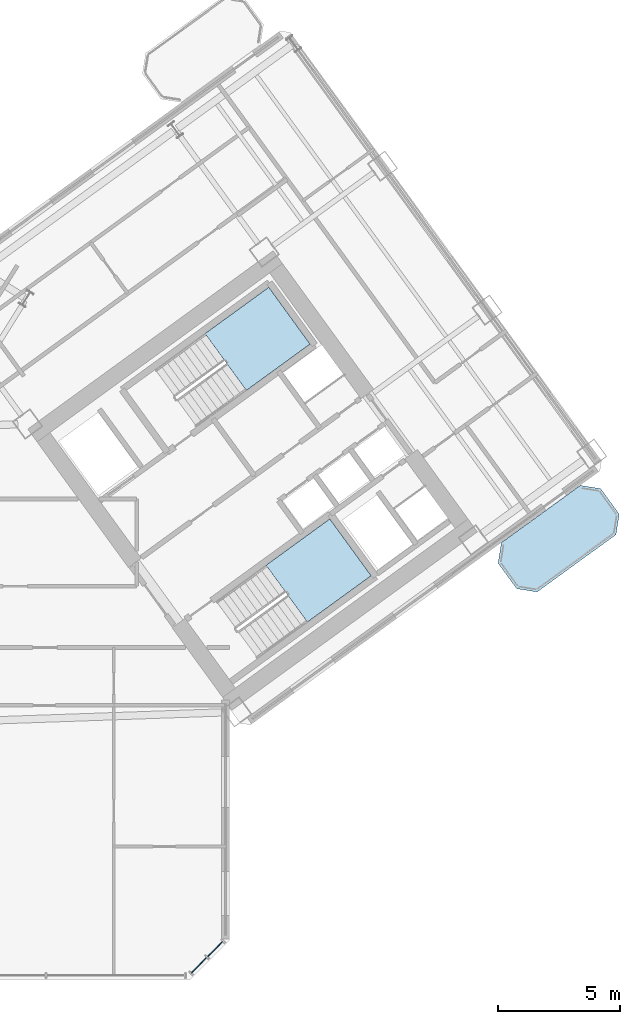
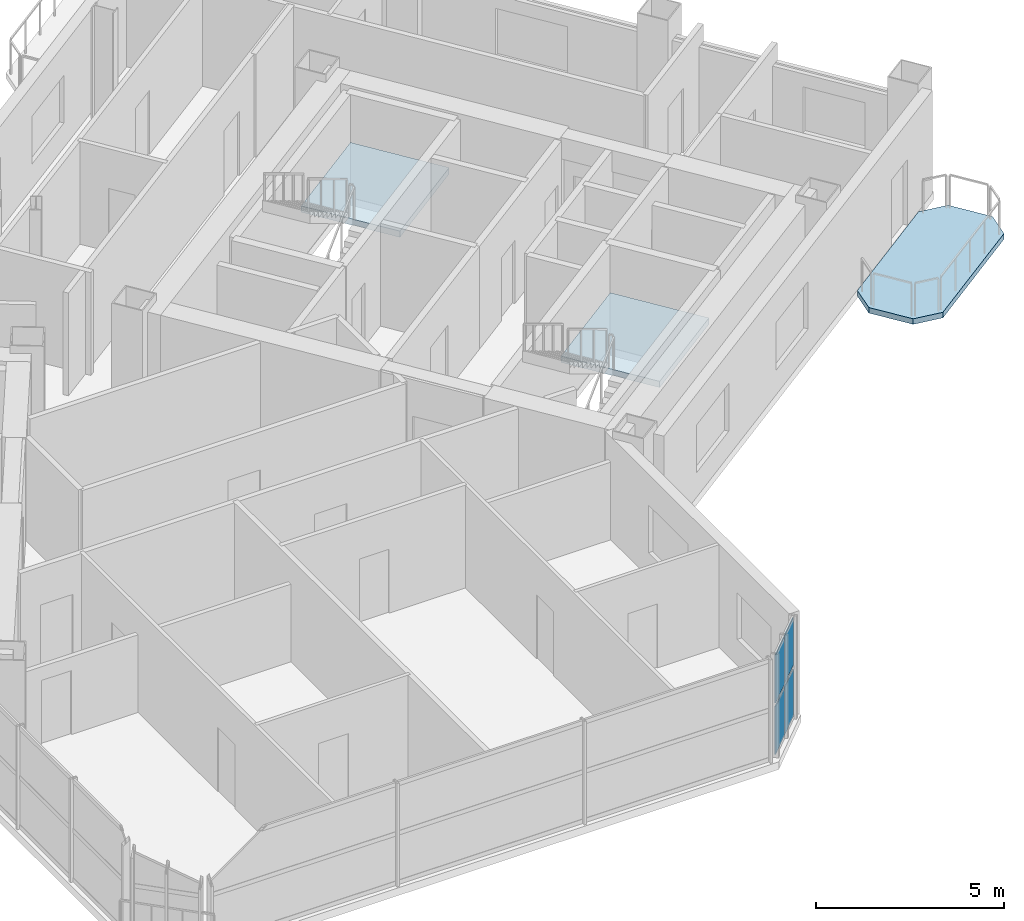
# One storey, part 10 of 21: 4 plates, 3 slabs, 3 elements without a shape of their own.
"""IFC4 building model written with IfcOpenShell, lengths in metres."""

from ifc_helpers import new_model, si_unit, direction, frame, origin, origin_2d, place, context, subcontext, project, spatial, polyline, rectangle, outline, extrude, source, transform, mapped, material, layer, layer_set, type_object, element, aggregate, save


model = new_model("IFC4")

# Units and contexts
model_context = context("Model", 3, precision=1e-05, world=origin(), true_north=direction((0.0, 1.0)))
body_context = subcontext(model_context, "Body", "Model", "MODEL_VIEW")
ifc_project = project(units=[si_unit("LENGTHUNIT", "METRE"), si_unit("AREAUNIT", "SQUARE_METRE"), si_unit("VOLUMEUNIT", "CUBIC_METRE"), si_unit("PLANEANGLEUNIT", "RADIAN"), si_unit("MASSUNIT", "GRAM", prefix="KILO")], contexts=[model_context])

# Site, building, storey
site_placement = place(None, origin())
site = spatial("IfcSite", under=ifc_project, at=site_placement, CompositionType="ELEMENT")
building_placement = place(site_placement, origin())
building = spatial("IfcBuilding", under=site, at=building_placement, Name="Tlacorven Tower", CompositionType="ELEMENT")
storey_placement = place(building_placement, frame((0.0, 0.0, 90.0)))
storey = spatial("IfcBuildingStorey", under=building, at=storey_placement, Name="L22", CompositionType="ELEMENT", Elevation=90.0)

# Slab
ifc_material_1 = material(Name="Precast concrete C45/55", Category="concrete")
ifc_layer_1 = layer(ifc_material_1, 0.179931640625)
ifc_layer_set_1 = layer_set([ifc_layer_1], Name="Precast concrete C45/55")
slab_type_1 = type_object("IfcSlabType", Name="SL-BAL-180", PredefinedType="USERDEFINED", material=ifc_layer_set_1)
slab_1_placement = place(storey_placement, frame((0.0, 0.0, -0.179931640625)))
element("IfcSlab", 1, at=slab_1_placement, inside=storey, type_object=slab_type_1, Name="L22 East Wing Balcony Ribbon OUT", ObjectType="BALCONY SLAB", PredefinedType="USERDEFINED", context=body_context, shape_type="SweptSolid", body=[
    extrude(outline(polyline([(65.025634765625, 17.69482421875), (68.26171875, 20.046142578125), (68.394287109375, 20.884033203125), (67.633056640625, 21.931884765625), (66.795166015625, 22.064453125), (63.55908203125, 19.71337890625), (63.42626953125, 18.875244140625), (64.1875, 17.82763671875), (65.025634765625, 17.69482421875)])), origin(), (0.0, 0.0, 1.0), 0.179931640625),
])

# Stair, slab
ifc_material_2 = material(Name="Concrete C40/50", Category="concrete")
stair_type = type_object("IfcStairType", Name="ST-CORE-DLG", PredefinedType="HALF_TURN_STAIR", material=ifc_material_2)
stair_1_placement = place(storey_placement, origin())
stair_1 = element("IfcStair", 2, at=stair_1_placement, inside=storey, type_object=stair_type, Name="L22 Protected Exit Stair East 1", PredefinedType="HALF_TURN_STAIR")
ifc_layer_2 = layer(ifc_material_2, 0.199951171875)
ifc_layer_set_2 = layer_set([ifc_layer_2], Name="Concrete C40/50")
slab_type_2 = type_object("IfcSlabType", Name="SL-LND-200", PredefinedType="LANDING", material=ifc_layer_set_2)
slab_2_placement = place(storey_placement, frame((0.0, 0.0, 1.60009765625)))
slab_2 = element("IfcSlab", 3, at=slab_2_placement, type_object=slab_type_2, Name="ST-E1 landing 1", PredefinedType="LANDING", context=body_context, shape_type="SweptSolid", body=[
    extrude(outline(polyline([(53.09765625, 25.962890625), (55.7109375, 27.861572265625), (54.01806640625, 30.19140625), (51.40478515625, 28.29296875), (53.09765625, 25.962890625)])), origin(), (0.0, 0.0, 1.0), 0.199951171875),
])
aggregate(stair_1, [slab_2])

stair_2_placement = place(storey_placement, origin())
stair_2 = element("IfcStair", 4, at=stair_2_placement, inside=storey, type_object=stair_type, Name="L22 Protected Exit Stair East 2", PredefinedType="HALF_TURN_STAIR")
slab_3_placement = place(storey_placement, frame((0.0, 0.0, 1.60009765625)))
slab_3 = element("IfcSlab", 5, at=slab_3_placement, type_object=slab_type_2, Name="ST-E2 landing 1", PredefinedType="LANDING", context=body_context, shape_type="SweptSolid", body=[
    extrude(outline(polyline([(55.601806640625, 16.4599609375), (58.21484375, 18.3583984375), (56.52197265625, 20.6884765625), (53.908935546875, 18.789794921875), (55.601806640625, 16.4599609375)])), origin(), (0.0, 0.0, 1.0), 0.199951171875),
])
aggregate(stair_2, [slab_3])

# Curtain wall, plates
ifc_material_3 = material(Name="Dark solar low-E double glazing in aluminium frame", Category="aluminium")
curtain_wall_type = type_object("IfcCurtainWallType", Name="CW-TWR-LOW", PredefinedType="USERDEFINED", material=ifc_material_3)
curtain_wall_placement = place(storey_placement, origin())
curtain_wall = element("IfcCurtainWall", 6, at=curtain_wall_placement, inside=storey, type_object=curtain_wall_type, Name="L22 CW-TWR-LOW Curtain Wall 115", ObjectType="UNITISED CURTAIN WALL", PredefinedType="USERDEFINED")
ifc_material_4 = material(Name="Dark solar double low-E glazing", Category="glass")
ifc_layer_3 = layer(ifc_material_4, 0.031982421875)
ifc_layer_set_3 = layer_set([ifc_layer_3], Name="Dark solar double low-E glazing")
plate_type = type_object("IfcPlateType", Name="CWP-02", PredefinedType="CURTAIN_PANEL", material=ifc_layer_set_3)
shared_shape = source(origin(), body_context, "Body", "SweptSolid", [
    extrude(rectangle(XDim=0.878173828125, YDim=0.031982421875, at=origin_2d()), origin(), (0.0, 0.0, 1.0), 1.552978515625),
])
plate_1_placement = place(storey_placement, frame((51.815673828125, 3.0419921875, 0.06103515625), z_axis=(0.0, 0.0, 1.0), x_axis=(-0.707106781187, -0.707106781187, 0.0)))
plate_1 = element("IfcPlate", 7, at=plate_1_placement, type_object=plate_type, Name="CW-L22-115 Glazing Panel 1", PredefinedType="CURTAIN_PANEL", context=body_context, shape_type="MappedRepresentation", body=[
    mapped(shared_shape, transform((0.0, 0.0, 0.0), scale=1.0)),
])
plate_2_placement = place(storey_placement, frame((51.815673828125, 3.0419921875, 1.73583984375), z_axis=(0.0, 0.0, 1.0), x_axis=(-0.707106781187, -0.707106781187, 0.0)))
plate_2 = element("IfcPlate", 8, at=plate_2_placement, type_object=plate_type, Name="CW-L22-115 Glazing Panel 2", PredefinedType="CURTAIN_PANEL", context=body_context, shape_type="MappedRepresentation", body=[
    mapped(shared_shape, transform((0.0, 0.0, 0.0), scale=1.0)),
])
plate_3_placement = place(storey_placement, frame((51.157958984375, 2.38427734375, 0.06103515625), z_axis=(0.0, 0.0, 1.0), x_axis=(-0.707106781187, -0.707106781187, 0.0)))
plate_3 = element("IfcPlate", 9, at=plate_3_placement, type_object=plate_type, Name="CW-L22-115 Glazing Panel 3", PredefinedType="CURTAIN_PANEL", context=body_context, shape_type="MappedRepresentation", body=[
    mapped(shared_shape, transform((0.0, 0.0, 0.0), scale=1.0)),
])
plate_4_placement = place(storey_placement, frame((51.157958984375, 2.38427734375, 1.73583984375), z_axis=(0.0, 0.0, 1.0), x_axis=(-0.707106781187, -0.707106781187, 0.0)))
plate_4 = element("IfcPlate", 10, at=plate_4_placement, type_object=plate_type, Name="CW-L22-115 Glazing Panel 4", PredefinedType="CURTAIN_PANEL", context=body_context, shape_type="MappedRepresentation", body=[
    mapped(shared_shape, transform((0.0, 0.0, 0.0), scale=1.0)),
])
aggregate(curtain_wall, [plate_1, plate_2, plate_3, plate_4])

save(model, "model.ifc")
